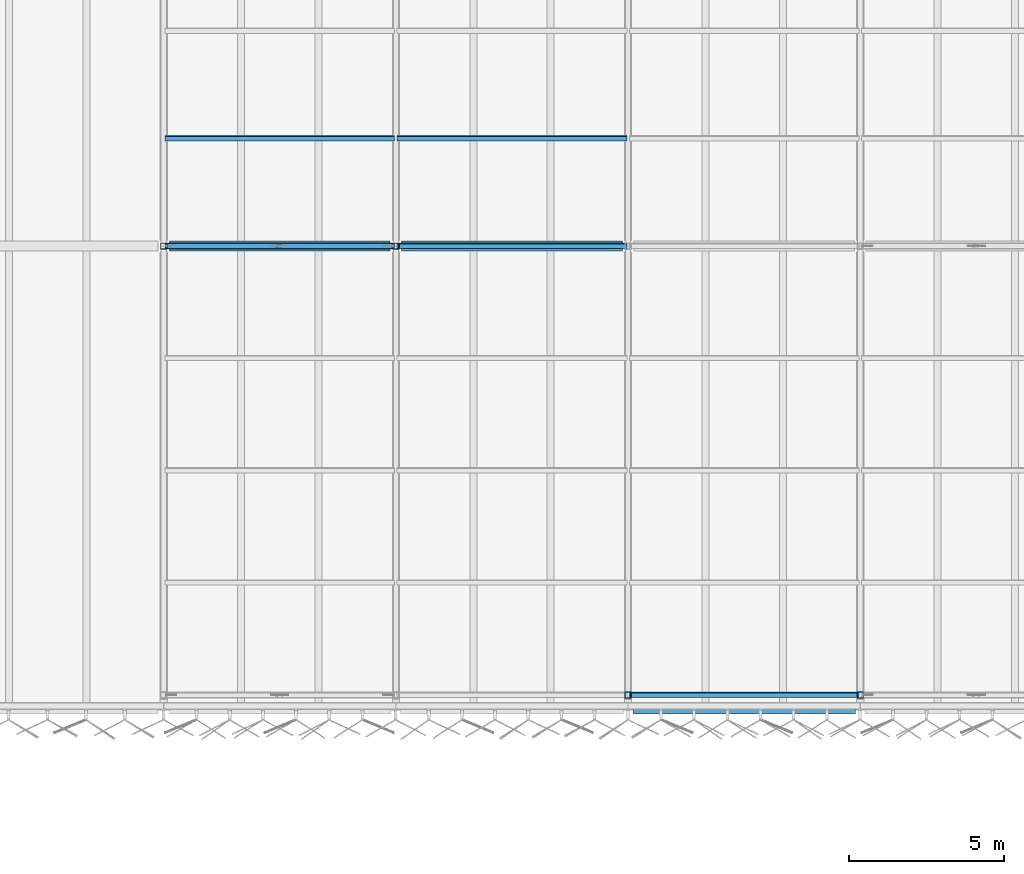
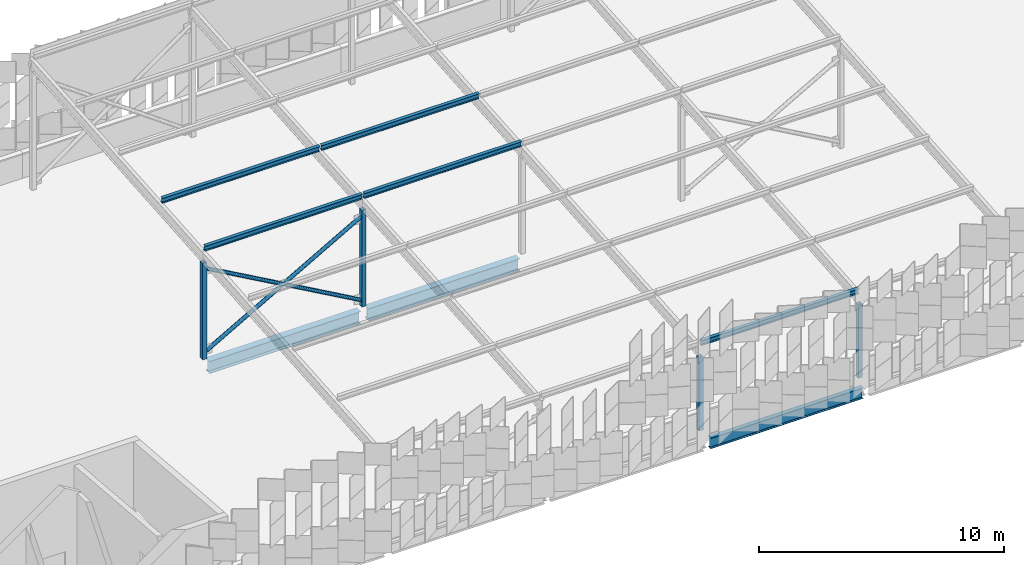
# One storey, part 47 of 483: 12 members, 3 beams.
"""IFC4 building model written with IfcOpenShell, lengths in metres."""

from ifc_helpers import new_model, si_unit, direction, frame, origin, origin_2d, place, context, subcontext, project, spatial, hollow_rectangle, hollow_circle, i_section, extrude, material, material_profile, profile_set, type_object, element, save


model = new_model("IFC4")

# Units and contexts
model_context = context("Model", 3, precision=1e-05, world=origin(), true_north=direction((0.0, 1.0)))
body_context = subcontext(model_context, "Body", "Model", "MODEL_VIEW")
ifc_project = project(units=[si_unit("LENGTHUNIT", "METRE"), si_unit("AREAUNIT", "SQUARE_METRE"), si_unit("VOLUMEUNIT", "CUBIC_METRE"), si_unit("PLANEANGLEUNIT", "RADIAN"), si_unit("MASSUNIT", "GRAM", prefix="KILO")], contexts=[model_context])

# Site, building, storey
site_placement = place(None, origin())
site = spatial("IfcSite", under=ifc_project, at=site_placement, CompositionType="ELEMENT")
building_placement = place(site_placement, origin())
building = spatial("IfcBuilding", under=site, at=building_placement, Name="Parallax Yard Mobility Hub", CompositionType="ELEMENT")
storey_placement = place(building_placement, frame((0.0, 0.0, 13.199951171875)))
storey = spatial("IfcBuildingStorey", under=building, at=storey_placement, Name="L04", CompositionType="ELEMENT", Elevation=13.199951171875)

# Members
ifc_material_1 = material(Name="Steel ASTM A500 Gr C", Category="steel")
ifc_material_profile_1 = material_profile(ifc_material_1, hollow_circle(Radius=0.0888671875, WallThickness=0.0078125, at=origin_2d()), Name="HSS177.8x7.9")
ifc_profile_set_1 = profile_set([ifc_material_profile_1], Name="Steel ASTM A500 Gr C")
member_type_1 = type_object("IfcMemberType", Name="Canopy brace HSS177.8x7.9", PredefinedType="BRACE", material=ifc_profile_set_1)
member_placement = place(storey_placement, frame((97.413330078125, 127.5, 0.300048828125), z_axis=(-0.870117516531, 0.0, 0.492844303432), x_axis=(0.0, -1.0, 0.0)))
element("IfcMember", 1, at=member_placement, inside=storey, type_object=member_type_1, Name="Canopy X brace RB bay N-B bay 1 diagonal B", PredefinedType="BRACE", context=body_context, shape_type="SweptSolid", body=[
    extrude(hollow_circle(Radius=0.0888671875, WallThickness=0.0078125, at=origin_2d()), origin(), (0.0, 0.0, 1.0), 8.42041015625),
])
for number, where, z_axis, x_axis, name in (
    (2, (90.086669921875, 127.5, 0.300048828125), (0.870112904421, 0.0, 0.492852446032), (0.0, 1.0, 0.0), "Canopy X brace RB bay N-B bay 1 diagonal A part 1"),
    (3, (93.83154296875, 127.5, 2.421142578125), (0.870112904421, 0.0, 0.492852446032), (0.0, 1.0, 0.0), "Canopy X brace RB bay N-B bay 1 diagonal A part 2"),
):
    element("IfcMember", number, at=place(storey_placement, frame(where, z_axis=z_axis, x_axis=x_axis)), inside=storey, type_object=member_type_1, Name=name, PredefinedType="BRACE", context=body_context, shape_type="SweptSolid", body=[
        extrude(hollow_circle(Radius=0.0888671875, WallThickness=0.0078125, at=origin_2d()), origin(), (0.0, 0.0, 1.0), 4.116455078125),
    ])
ifc_material_profile_2 = material_profile(ifc_material_1, hollow_rectangle(XDim=0.203125, YDim=0.203125, WallThickness=0.009521484375, at=origin_2d()), Name="HSS203x203x9.5")
ifc_profile_set_2 = profile_set([ifc_material_profile_2], Name="Steel ASTM A500 Gr C")
member_type_2 = type_object("IfcMemberType", Name="Canopy post HSS203x203x9.5", PredefinedType="POST", material=ifc_profile_set_2)
for number, where, z_axis, x_axis, name in (
    (4, (90.0, 127.5, 0.0), (0.0, 0.0, 1.0), (1.0, 0.0, 0.0), "Canopy post RB/N-B1"),
    (5, (97.5, 127.5, 0.0), (0.0, 0.0, 1.0), (1.0, 0.0, 0.0), "Canopy post RB/N-B2"),
):
    element("IfcMember", number, at=place(storey_placement, frame(where, z_axis=z_axis, x_axis=x_axis)), inside=storey, type_object=member_type_2, Name=name, PredefinedType="POST", context=body_context, shape_type="SweptSolid", body=[
        extrude(hollow_rectangle(XDim=0.203125, YDim=0.203125, WallThickness=0.009521484375, at=origin_2d()), origin(), (0.0, 0.0, 1.0), 4.81005859375),
    ])
for number, where, z_axis, x_axis, name in (
    (6, (105.0, 113.0, 0.0), (0.0, 0.0, 1.0), (1.0, 0.0, 0.0), "Canopy post RA/N-B3"),
    (7, (112.5, 113.0, 0.0), (0.0, 0.0, 1.0), (1.0, 0.0, 0.0), "Canopy post RA/N-B4"),
):
    element("IfcMember", number, at=place(storey_placement, frame(where, z_axis=z_axis, x_axis=x_axis)), inside=storey, type_object=member_type_2, Name=name, PredefinedType="POST", context=body_context, shape_type="SweptSolid", body=[
        extrude(hollow_rectangle(XDim=0.203125, YDim=0.203125, WallThickness=0.009521484375, at=origin_2d()), origin(), (0.0, 0.0, 1.0), 3.650146484375),
    ])
ifc_material_2 = material(Name="Steel ASTM A992", Category="steel")
ifc_material_profile_3 = material_profile(ifc_material_2, i_section(OverallWidth=0.14794921875, OverallDepth=0.26611328125, WebThickness=0.007568359375, FlangeThickness=0.012939453125, at=origin_2d()), Name="W250x45")
ifc_profile_set_3 = profile_set([ifc_material_profile_3], Name="Steel ASTM A992")
member_type_3 = type_object("IfcMemberType", Name="Canopy purlin W250x45", PredefinedType="PURLIN", material=ifc_profile_set_3)
for number, where, z_axis, x_axis, name in (
    (8, (90.0400390625, 127.510498046875, 5.462158203125), (1.0, 0.0, 0.0), (0.0, 0.996815308126, 0.079744852409), "Canopy purlin sector N-B bay 1 line 5"),
    (9, (90.0400390625, 130.985595703125, 5.739990234375), (1.0, 0.0, 0.0), (0.0, 0.996815308126, 0.079744852409), "Canopy purlin sector N-B bay 1 line 6"),
    (10, (97.5400390625, 127.510498046875, 5.462158203125), (1.0, 0.0, 0.0), (0.0, 0.996815308126, 0.079744852409), "Canopy purlin sector N-B bay 2 line 5"),
    (11, (97.5400390625, 130.985595703125, 5.739990234375), (1.0, 0.0, 0.0), (0.0, 0.996815308126, 0.079744852409), "Canopy purlin sector N-B bay 2 line 6"),
    (12, (105.0400390625, 113.010498046875, 4.302001953125), (1.0, 0.0, 0.0), (0.0, 0.996815308126, 0.079744852409), "Canopy purlin sector N-B bay 3 line 1"),
):
    element("IfcMember", number, at=place(storey_placement, frame(where, z_axis=z_axis, x_axis=x_axis)), inside=storey, type_object=member_type_3, Name=name, PredefinedType="PURLIN", context=body_context, shape_type="SweptSolid", body=[
        extrude(i_section(OverallWidth=0.14794921875, OverallDepth=0.26611328125, WebThickness=0.007568359375, FlangeThickness=0.012939453125, at=origin_2d()), origin(), (0.0, 0.0, 1.0), 7.419921875),
    ])

# Beams
ifc_material_profile_4 = material_profile(ifc_material_2, i_section(OverallWidth=0.208984375, OverallDepth=0.532958984375, WebThickness=0.01025390625, FlangeThickness=0.015625, FilletRadius=0.0126953125, at=origin_2d()), Name="W530x92")
ifc_profile_set_4 = profile_set([ifc_material_profile_4], Name="Steel ASTM A992")
beam_type_1 = type_object("IfcBeamType", Name="W530x92 edge beam", PredefinedType="SPANDREL", material=ifc_profile_set_4)
beam_placement = place(storey_placement, frame((105.152587890625, 112.5, -0.406494140625), z_axis=(1.0, 0.0, 0.0), x_axis=(0.0, 1.0, 0.0)))
element("IfcBeam", 13, at=beam_placement, inside=storey, type_object=beam_type_1, Name="Edge beam SB5 level L04, line R of ramped parking decks, span 9", PredefinedType="SPANDREL", context=body_context, shape_type="SweptSolid", body=[
    extrude(i_section(OverallWidth=0.208984375, OverallDepth=0.532958984375, WebThickness=0.01025390625, FlangeThickness=0.015625, FilletRadius=0.0126953125, at=origin_2d()), origin(), (0.0, 0.0, 1.0), 7.19482421875),
])
ifc_material_profile_5 = material_profile(ifc_material_2, i_section(OverallWidth=0.324951171875, OverallDepth=0.612060546875, WebThickness=0.0126953125, FlangeThickness=0.01904296875, FilletRadius=0.0126953125, at=origin_2d()), Name="W610x155")
ifc_profile_set_5 = profile_set([ifc_material_profile_5], Name="Steel ASTM A992")
beam_type_2 = type_object("IfcBeamType", Name="W610x155 longitudinal beam", PredefinedType="BEAM", material=ifc_profile_set_5)
for number, where, z_axis, x_axis, name in (
    (14, (90.1865234375, 127.5, -0.446044921875), (1.0, 0.0, 0.0), (0.0, 1.0, 0.0), "Longitudinal beam SB8 level L04, line T of ramped parking decks, span 9"),
    (15, (97.6865234375, 127.5, -0.446044921875), (1.0, 0.0, 0.0), (0.0, 1.0, 0.0), "Longitudinal beam SB8 level L04, line T of ramped parking decks, span 10"),
):
    element("IfcBeam", number, at=place(storey_placement, frame(where, z_axis=z_axis, x_axis=x_axis)), inside=storey, type_object=beam_type_2, Name=name, PredefinedType="BEAM", context=body_context, shape_type="SweptSolid", body=[
        extrude(i_section(OverallWidth=0.324951171875, OverallDepth=0.612060546875, WebThickness=0.0126953125, FlangeThickness=0.01904296875, FilletRadius=0.0126953125, at=origin_2d()), origin(), (0.0, 0.0, 1.0), 7.126953125),
    ])

save(model, "model.ifc")
